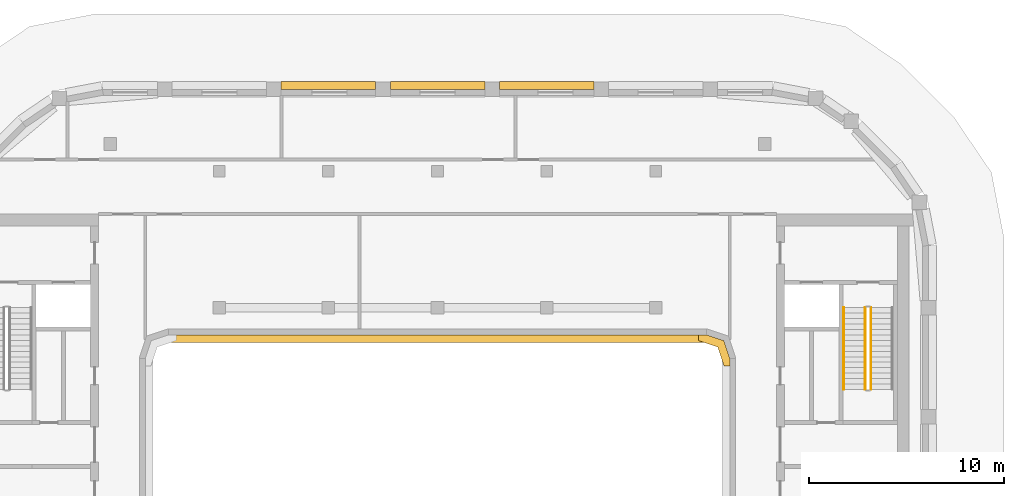
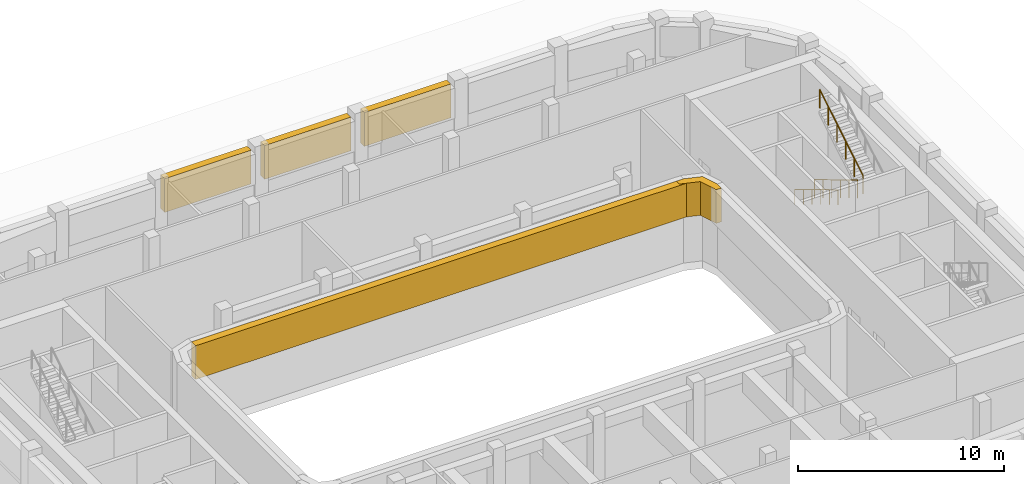
# One storey, part 16 of 17: 5 coverings, 3 railings.
"""IFC4 building model written with IfcOpenShell, lengths in metres."""

from ifc_helpers import new_model, si_unit, direction, frame, origin, origin_2d, place, context, subcontext, project, spatial, polyline, rectangle, circle, outline, extrude, material, type_object, element, save


model = new_model("IFC4")

# Units and contexts
model_context = context("Model", 3, precision=1e-05, world=origin(), true_north=direction((0.0, 1.0)))
body_context = subcontext(model_context, "Body", "Model", "MODEL_VIEW")
ifc_project = project(units=[si_unit("LENGTHUNIT", "METRE"), si_unit("AREAUNIT", "SQUARE_METRE"), si_unit("VOLUMEUNIT", "CUBIC_METRE"), si_unit("PLANEANGLEUNIT", "RADIAN"), si_unit("MASSUNIT", "GRAM", prefix="KILO")], contexts=[model_context])

# Site, building, storey
site_placement = place(None, origin())
site = spatial("IfcSite", under=ifc_project, at=site_placement, CompositionType="ELEMENT")
building_placement = place(site_placement, origin())
building = spatial("IfcBuilding", under=site, at=building_placement, Name="Kiln Ring Residences", CompositionType="ELEMENT")
storey_placement = place(building_placement, frame((0.0, 0.0, 289.10009765625)))
storey = spatial("IfcBuildingStorey", under=building, at=storey_placement, Name="L75", CompositionType="ELEMENT", Elevation=289.10009765625)

# Railings
ifc_material_1 = material(Name="Stainless steel", Category="steel")
railing_type_1 = type_object("IfcRailingType", Name="CORE-STAIR-GUARD", PredefinedType="GUARDRAIL", material=ifc_material_1)
railing_1_placement = place(storey_placement, frame((21.949951171875, 8.39990234375, 0.168701171875)))
element("IfcRailing", 1, at=railing_1_placement, inside=storey, type_object=railing_type_1, Name="L75 E-STN stair guard 1", PredefinedType="GUARDRAIL", context=body_context, shape_type="SweptSolid", body=[
    extrude(circle(Radius=0.02392578125, at=origin_2d()), frame((0.0, 0.0, 1.076171875), z_axis=(0.0, -0.856476492594, 0.516186030065), x_axis=(1.0, 0.0, 0.0)), (0.0, 0.0, 1.0), 4.90380859375),
    extrude(circle(Radius=0.02099609375, at=origin_2d()), origin(), (0.0, 0.0, 1.0), 1.052001953125),
    extrude(circle(Radius=0.02099609375, at=origin_2d()), frame((0.0, -0.840087890625, 0.50634765625)), (0.0, 0.0, 1.0), 1.052001953125),
    extrude(circle(Radius=0.02099609375, at=origin_2d()), frame((0.0, -1.679931640625, 1.012451171875)), (0.0, 0.0, 1.0), 1.052001953125),
    extrude(circle(Radius=0.02099609375, at=origin_2d()), frame((0.0, -2.52001953125, 1.518798828125)), (0.0, 0.0, 1.0), 1.052001953125),
    extrude(circle(Radius=0.02099609375, at=origin_2d()), frame((0.0, -3.35986328125, 2.02490234375)), (0.0, 0.0, 1.0), 1.052001953125),
    extrude(circle(Radius=0.02099609375, at=origin_2d()), frame((0.0, -4.199951171875, 2.53125)), (0.0, 0.0, 1.0), 1.052001953125),
])
railing_2_placement = place(storey_placement, frame((22.25, 4.199951171875, 2.86865234375)))
element("IfcRailing", 2, at=railing_2_placement, inside=storey, type_object=railing_type_1, Name="L75 E-STN stair guard 3", PredefinedType="GUARDRAIL", context=body_context, shape_type="SweptSolid", body=[
    extrude(circle(Radius=0.02392578125, at=origin_2d()), frame((0.0, 0.0, 1.076171875), z_axis=(0.0, 0.856476492594, 0.516186030065), x_axis=(-1.0, 0.0, 0.0)), (0.0, 0.0, 1.0), 4.90380859375),
    extrude(circle(Radius=0.02099609375, at=origin_2d()), origin(), (0.0, 0.0, 1.0), 1.052001953125),
    extrude(circle(Radius=0.02099609375, at=origin_2d()), frame((0.0, 0.840087890625, 0.50634765625)), (0.0, 0.0, 1.0), 1.052001953125),
    extrude(circle(Radius=0.02099609375, at=origin_2d()), frame((0.0, 1.679931640625, 1.012451171875)), (0.0, 0.0, 1.0), 1.052001953125),
    extrude(circle(Radius=0.02099609375, at=origin_2d()), frame((0.0, 2.52001953125, 1.518798828125)), (0.0, 0.0, 1.0), 1.052001953125),
    extrude(circle(Radius=0.02099609375, at=origin_2d()), frame((0.0, 3.35986328125, 2.02490234375)), (0.0, 0.0, 1.0), 1.052001953125),
    extrude(circle(Radius=0.02099609375, at=origin_2d()), frame((0.0, 4.199951171875, 2.53125)), (0.0, 0.0, 1.0), 1.052001953125),
])
ifc_material_2 = material(Name="Stainless steel", Category="steel")
railing_type_2 = type_object("IfcRailingType", Name="CORE-STAIR-HANDRAIL", PredefinedType="HANDRAIL", material=ifc_material_2)
railing_3_placement = place(storey_placement, frame((20.85009765625, 8.39990234375, 0.168701171875)))
element("IfcRailing", 3, at=railing_3_placement, inside=storey, type_object=railing_type_2, Name="L75 E-STN stair handrail 1", PredefinedType="HANDRAIL", context=body_context, shape_type="SweptSolid", body=[
    extrude(circle(Radius=0.02392578125, at=origin_2d()), frame((0.0, 0.0, 0.8759765625), z_axis=(0.0, -0.856476492594, 0.516186030065), x_axis=(1.0, 0.0, 0.0)), (0.0, 0.0, 1.0), 4.90380859375),
    extrude(circle(Radius=0.02099609375, at=origin_2d()), origin(), (0.0, 0.0, 1.0), 0.851806640625),
    extrude(circle(Radius=0.02099609375, at=origin_2d()), frame((0.0, -0.840087890625, 0.50634765625)), (0.0, 0.0, 1.0), 0.851806640625),
    extrude(circle(Radius=0.02099609375, at=origin_2d()), frame((0.0, -1.679931640625, 1.012451171875)), (0.0, 0.0, 1.0), 0.851806640625),
    extrude(circle(Radius=0.02099609375, at=origin_2d()), frame((0.0, -2.52001953125, 1.518798828125)), (0.0, 0.0, 1.0), 0.851806640625),
    extrude(circle(Radius=0.02099609375, at=origin_2d()), frame((0.0, -3.35986328125, 2.02490234375)), (0.0, 0.0, 1.0), 0.851806640625),
    extrude(circle(Radius=0.02099609375, at=origin_2d()), frame((0.0, -4.199951171875, 2.53125)), (0.0, 0.0, 1.0), 0.851806640625),
])

# Coverings
ifc_material_3 = material(Name="Concrete C35/45, exposed aggregate finish", Category="concrete")
covering_type = type_object("IfcCoveringType", Name="TIE BAND 2000 x 400", PredefinedType="CLADDING", material=ifc_material_3)
for number, where, z_axis, x_axis, name in (
    (4, (5.60009765625, 19.800048828125, 3.0), (0.0, 0.0, 1.0), (-1.0, 0.0, 0.0), "TIE BAND L75"),
    (5, (0.0, 19.800048828125, 3.0), (0.0, 0.0, 1.0), (-1.0, 0.0, 0.0), "TIE BAND L75"),
    (6, (-5.60009765625, 19.800048828125, 3.0), (0.0, 0.0, 1.0), (-1.0, 0.0, 0.0), "TIE BAND L75"),
):
    element("IfcCovering", number, at=place(storey_placement, frame(where, z_axis=z_axis, x_axis=x_axis)), inside=storey, type_object=covering_type, Name=name, PredefinedType="CLADDING", context=body_context, shape_type="SweptSolid", body=[
        extrude(rectangle(XDim=4.85009765625, YDim=0.39990234375, at=origin_2d()), origin(), (0.0, 0.0, 1.0), 2.0),
    ])
covering_1_placement = place(storey_placement, frame((0.0, 6.800048828125, 3.0), z_axis=(0.0, 0.0, 1.0), x_axis=(1.0, 0.0, 0.0)))
element("IfcCovering", 7, at=covering_1_placement, inside=storey, type_object=covering_type, Name="TIE BAND L75", PredefinedType="CLADDING", context=body_context, shape_type="SweptSolid", body=[
    extrude(rectangle(XDim=27.60009765625, YDim=0.39990234375, at=origin_2d()), origin(), (0.0, 0.0, 1.0), 2.0),
])
covering_2_placement = place(storey_placement, frame((0.0, 0.0, 3.0)))
element("IfcCovering", 8, at=covering_2_placement, inside=storey, type_object=covering_type, Name="TIE BAND L75", PredefinedType="CLADDING", context=body_context, shape_type="SweptSolid", body=[
    extrude(outline(polyline([(14.3837890625, 6.3837890625), (14.711669921875, 5.39990234375), (15.0, 5.39990234375), (15.0, 5.800048828125), (14.699951171875, 6.699951171875), (13.800048828125, 7.0), (13.39990234375, 7.0), (13.39990234375, 6.711669921875), (14.3837890625, 6.3837890625)])), origin(), (0.0, 0.0, 1.0), 2.0),
])

save(model, "model.ifc")
